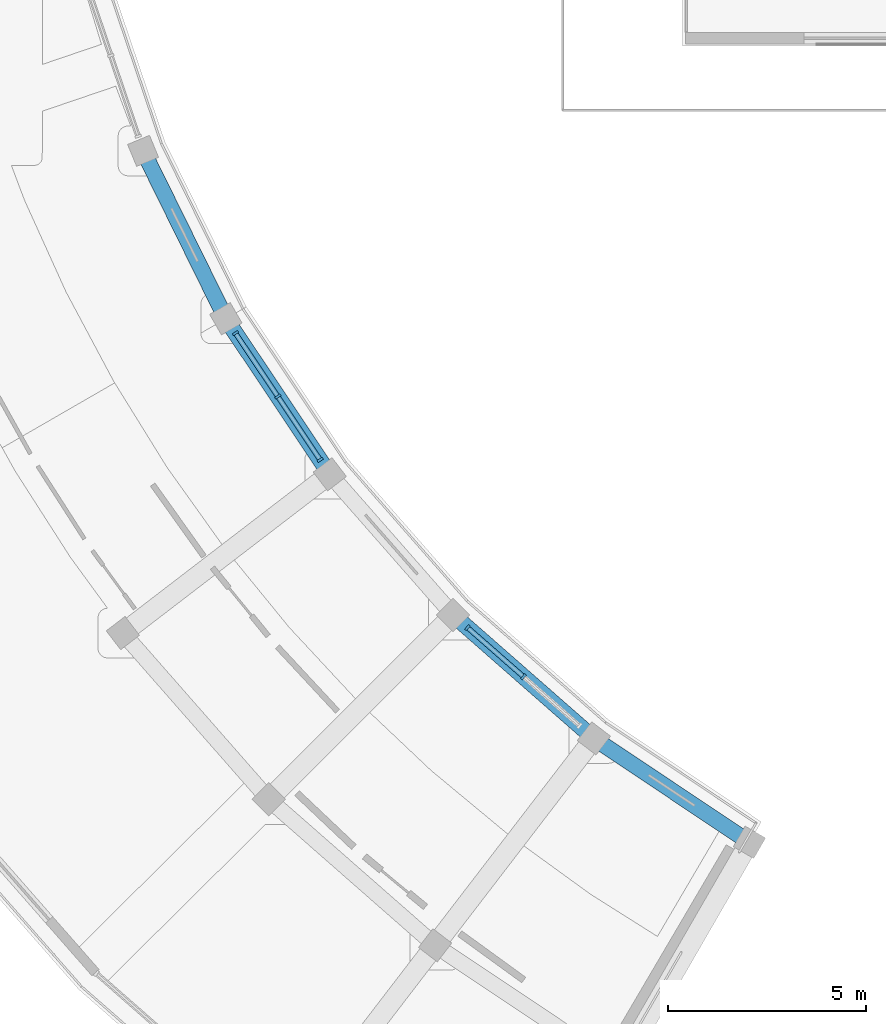
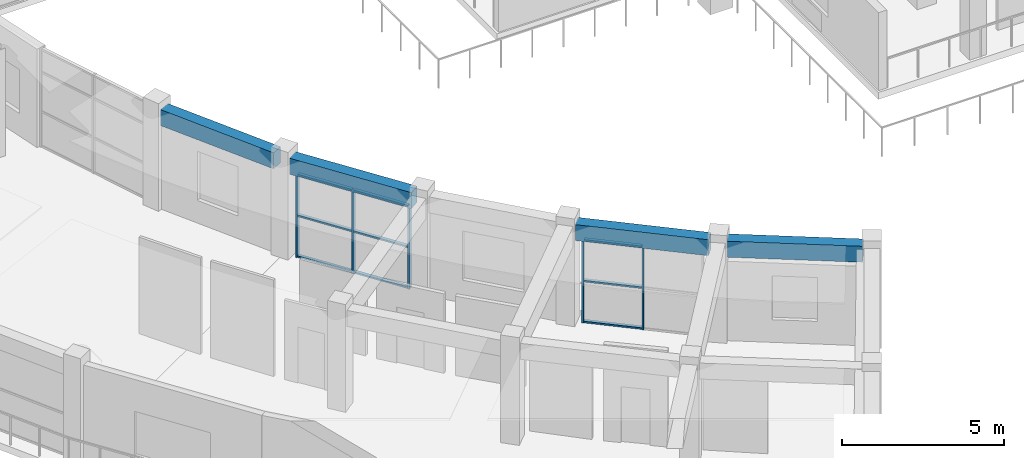
# One storey, part 14 of 72: 14 members, 4 beams, 2 elements without a shape of their own.
"""IFC4 building model written with IfcOpenShell, lengths in metres."""

from ifc_helpers import new_model, si_unit, direction, frame, origin, origin_2d, place, context, subcontext, project, spatial, rectangle, extrude, material, material_profile, profile_set, type_object, element, aggregate, save


model = new_model("IFC4")

# Units and contexts
model_context = context("Model", 3, precision=1e-05, world=origin(), true_north=direction((0.0, 1.0)))
body_context = subcontext(model_context, "Body", "Model", "MODEL_VIEW")
ifc_project = project(units=[si_unit("LENGTHUNIT", "METRE"), si_unit("AREAUNIT", "SQUARE_METRE"), si_unit("VOLUMEUNIT", "CUBIC_METRE"), si_unit("PLANEANGLEUNIT", "RADIAN"), si_unit("MASSUNIT", "GRAM", prefix="KILO")], contexts=[model_context])

# Site, building, storey
site_placement = place(None, origin())
site = spatial("IfcSite", under=ifc_project, at=site_placement, CompositionType="ELEMENT")
building_placement = place(site_placement, origin())
building = spatial("IfcBuilding", under=site, at=building_placement, Name="Saryqyr Civic Hall", CompositionType="ELEMENT")
storey_placement = place(building_placement, frame((0.0, 0.0, 17.25)))
storey = spatial("IfcBuildingStorey", under=building, at=storey_placement, Name="L04", CompositionType="ELEMENT", Elevation=17.25)

# Curtain wall, members
ifc_material_1 = material(Name="Anodised aluminium and triple low-E glass", Category="aluminium")
curtain_wall_type_1 = type_object("IfcCurtainWallType", Name="ENV-CW-STD-17", PredefinedType="NOTDEFINED", material=ifc_material_1)
curtain_wall_1_placement = place(storey_placement, origin())
curtain_wall_1 = element("IfcCurtainWall", 1, at=curtain_wall_1_placement, inside=storey, type_object=curtain_wall_type_1, Name="Curtain wall V4-CWI-L04-06", PredefinedType="NOTDEFINED")
ifc_material_2 = material(Name="Anodised aluminium", Category="aluminium")
ifc_material_profile_1 = material_profile(ifc_material_2, rectangle(XDim=0.06005859375, YDim=0.159912109375, at=origin_2d()), Name="ALU MULLION 60x160")
ifc_profile_set_1 = profile_set([ifc_material_profile_1], Name="Anodised aluminium")
member_type_1 = type_object("IfcMemberType", Name="ENV-CW-MUL-180", PredefinedType="MULLION", material=ifc_profile_set_1)
member_1_placement = place(storey_placement, frame((25.893798828125, 65.53515625, 0.0), z_axis=(0.0, 0.0, 1.0), x_axis=(0.555554091972, -0.831480397179, 0.0)))
member_1 = element("IfcMember", 2, at=member_1_placement, type_object=member_type_1, Name="CW-17 mullion 1", PredefinedType="MULLION", context=body_context, shape_type="SweptSolid", body=[
    extrude(rectangle(XDim=0.06005859375, YDim=0.159912109375, at=origin_2d()), origin(), (0.0, 0.0, 1.0), 3.135009765625),
])
member_2_placement = place(storey_placement, frame((26.96533203125, 63.931396484375, 0.0), z_axis=(0.0, 0.0, 1.0), x_axis=(0.555554091972, -0.831480397179, 0.0)))
member_2 = element("IfcMember", 3, at=member_2_placement, type_object=member_type_1, Name="CW-17 mullion 2", PredefinedType="MULLION", context=body_context, shape_type="SweptSolid", body=[
    extrude(rectangle(XDim=0.06005859375, YDim=0.159912109375, at=origin_2d()), origin(), (0.0, 0.0, 1.0), 3.135009765625),
])
member_3_placement = place(storey_placement, frame((28.03662109375, 62.32763671875, 0.0), z_axis=(0.0, 0.0, 1.0), x_axis=(0.555554091972, -0.831480397179, 0.0)))
member_3 = element("IfcMember", 4, at=member_3_placement, type_object=member_type_1, Name="CW-17 mullion 3", PredefinedType="MULLION", context=body_context, shape_type="SweptSolid", body=[
    extrude(rectangle(XDim=0.06005859375, YDim=0.159912109375, at=origin_2d()), origin(), (0.0, 0.0, 1.0), 3.135009765625),
])

curtain_wall_type_2 = type_object("IfcCurtainWallType", Name="ENV-CW-STD-20", PredefinedType="NOTDEFINED", material=ifc_material_1)
curtain_wall_2_placement = place(storey_placement, origin())
curtain_wall_2 = element("IfcCurtainWall", 5, at=curtain_wall_2_placement, inside=storey, type_object=curtain_wall_type_2, Name="Curtain wall V4-CWI-L04-08", PredefinedType="NOTDEFINED")
member_4_placement = place(storey_placement, frame((31.76513671875, 58.084716796875, 0.0), z_axis=(0.0, 0.0, 1.0), x_axis=(0.751850148543, -0.65933402319, 0.0)))
member_4 = element("IfcMember", 6, at=member_4_placement, type_object=member_type_1, Name="CW-20 mullion 1", PredefinedType="MULLION", context=body_context, shape_type="SweptSolid", body=[
    extrude(rectangle(XDim=0.06005859375, YDim=0.159912109375, at=origin_2d()), origin(), (0.0, 0.0, 1.0), 3.135009765625),
])
member_5_placement = place(storey_placement, frame((33.182861328125, 56.841552734375, 0.0), z_axis=(0.0, 0.0, 1.0), x_axis=(0.751850148543, -0.65933402319, 0.0)))
member_5 = element("IfcMember", 7, at=member_5_placement, type_object=member_type_1, Name="CW-20 mullion 2", PredefinedType="MULLION", context=body_context, shape_type="SweptSolid", body=[
    extrude(rectangle(XDim=0.06005859375, YDim=0.159912109375, at=origin_2d()), origin(), (0.0, 0.0, 1.0), 3.135009765625),
])

# Member
ifc_material_profile_2 = material_profile(ifc_material_2, rectangle(XDim=0.1201171875, YDim=0.06005859375, at=origin_2d()), Name="ALU TRANSOM 120x60")
ifc_profile_set_2 = profile_set([ifc_material_profile_2], Name="Anodised aluminium")
member_type_2 = type_object("IfcMemberType", Name="ENV-CW-TRN-150", PredefinedType="USERDEFINED", material=ifc_profile_set_2)
member_6_placement = place(storey_placement, frame((25.910400390625, 65.510009765625, 0.030029296875), z_axis=(0.555544141607, -0.831487045435, 0.0), x_axis=(0.831487045435, 0.555544141607, 0.0)))
member_6 = element("IfcMember", 8, at=member_6_placement, type_object=member_type_2, Name="CW-17 transom 1.1", ObjectType="TRANSOM", PredefinedType="USERDEFINED", context=body_context, shape_type="SweptSolid", body=[
    extrude(rectangle(XDim=0.1201171875, YDim=0.06005859375, at=origin_2d()), origin(), (0.0, 0.0, 1.0), 1.86865234375),
])

member_7_placement = place(storey_placement, frame((25.910400390625, 65.510009765625, 1.56689453125), z_axis=(0.555544141607, -0.831487045435, 0.0), x_axis=(0.831487045435, 0.555544141607, 0.0)))
member_7 = element("IfcMember", 9, at=member_7_placement, type_object=member_type_2, Name="CW-17 transom 1.2", ObjectType="TRANSOM", PredefinedType="USERDEFINED", context=body_context, shape_type="SweptSolid", body=[
    extrude(rectangle(XDim=0.1201171875, YDim=0.06005859375, at=origin_2d()), origin(), (0.0, 0.0, 1.0), 1.86865234375),
])

member_8_placement = place(storey_placement, frame((25.910400390625, 65.510009765625, 3.10498046875), z_axis=(0.555544141607, -0.831487045435, 0.0), x_axis=(0.831487045435, 0.555544141607, 0.0)))
member_8 = element("IfcMember", 10, at=member_8_placement, type_object=member_type_2, Name="CW-17 transom 1.3", ObjectType="TRANSOM", PredefinedType="USERDEFINED", context=body_context, shape_type="SweptSolid", body=[
    extrude(rectangle(XDim=0.1201171875, YDim=0.06005859375, at=origin_2d()), origin(), (0.0, 0.0, 1.0), 1.86865234375),
])

member_9_placement = place(storey_placement, frame((26.98193359375, 63.906494140625, 0.030029296875), z_axis=(0.555544141607, -0.831487045435, 0.0), x_axis=(0.831487045435, 0.555544141607, 0.0)))
member_9 = element("IfcMember", 11, at=member_9_placement, type_object=member_type_2, Name="CW-17 transom 2.1", ObjectType="TRANSOM", PredefinedType="USERDEFINED", context=body_context, shape_type="SweptSolid", body=[
    extrude(rectangle(XDim=0.1201171875, YDim=0.06005859375, at=origin_2d()), origin(), (0.0, 0.0, 1.0), 1.86865234375),
])

member_10_placement = place(storey_placement, frame((26.98193359375, 63.906494140625, 1.56689453125), z_axis=(0.555544141607, -0.831487045435, 0.0), x_axis=(0.831487045435, 0.555544141607, 0.0)))
member_10 = element("IfcMember", 12, at=member_10_placement, type_object=member_type_2, Name="CW-17 transom 2.2", ObjectType="TRANSOM", PredefinedType="USERDEFINED", context=body_context, shape_type="SweptSolid", body=[
    extrude(rectangle(XDim=0.1201171875, YDim=0.06005859375, at=origin_2d()), origin(), (0.0, 0.0, 1.0), 1.86865234375),
])

member_11_placement = place(storey_placement, frame((26.98193359375, 63.906494140625, 3.10498046875), z_axis=(0.555544141607, -0.831487045435, 0.0), x_axis=(0.831487045435, 0.555544141607, 0.0)))
member_11 = element("IfcMember", 13, at=member_11_placement, type_object=member_type_2, Name="CW-17 transom 2.3", ObjectType="TRANSOM", PredefinedType="USERDEFINED", context=body_context, shape_type="SweptSolid", body=[
    extrude(rectangle(XDim=0.1201171875, YDim=0.06005859375, at=origin_2d()), origin(), (0.0, 0.0, 1.0), 1.86865234375),
])

aggregate(curtain_wall_1, [member_1, member_2, member_3, member_6, member_7, member_8, member_9, member_10, member_11])

member_12_placement = place(storey_placement, frame((31.787841796875, 58.06494140625, 0.030029296875), z_axis=(0.751805640639, -0.659384772878, 0.0), x_axis=(0.659384772878, 0.751805640639, 0.0)))
member_12 = element("IfcMember", 14, at=member_12_placement, type_object=member_type_2, Name="CW-20 transom 1.1", ObjectType="TRANSOM", PredefinedType="USERDEFINED", context=body_context, shape_type="SweptSolid", body=[
    extrude(rectangle(XDim=0.1201171875, YDim=0.06005859375, at=origin_2d()), origin(), (0.0, 0.0, 1.0), 1.825439453125),
])

member_13_placement = place(storey_placement, frame((31.787841796875, 58.06494140625, 1.56689453125), z_axis=(0.751805640639, -0.659384772878, 0.0), x_axis=(0.659384772878, 0.751805640639, 0.0)))
member_13 = element("IfcMember", 15, at=member_13_placement, type_object=member_type_2, Name="CW-20 transom 1.2", ObjectType="TRANSOM", PredefinedType="USERDEFINED", context=body_context, shape_type="SweptSolid", body=[
    extrude(rectangle(XDim=0.1201171875, YDim=0.06005859375, at=origin_2d()), origin(), (0.0, 0.0, 1.0), 1.825439453125),
])

member_14_placement = place(storey_placement, frame((31.787841796875, 58.06494140625, 3.10498046875), z_axis=(0.751805640639, -0.659384772878, 0.0), x_axis=(0.659384772878, 0.751805640639, 0.0)))
member_14 = element("IfcMember", 16, at=member_14_placement, type_object=member_type_2, Name="CW-20 transom 1.3", ObjectType="TRANSOM", PredefinedType="USERDEFINED", context=body_context, shape_type="SweptSolid", body=[
    extrude(rectangle(XDim=0.1201171875, YDim=0.06005859375, at=origin_2d()), origin(), (0.0, 0.0, 1.0), 1.825439453125),
])

aggregate(curtain_wall_2, [member_4, member_5, member_12, member_13, member_14])

# Beams
ifc_material_3 = material(Name="Concrete C35/45", Category="concrete")
ifc_material_profile_3 = material_profile(ifc_material_3, rectangle(XDim=0.39990234375, YDim=0.60009765625, at=origin_2d()), Name="RC 400x600")
ifc_profile_set_3 = profile_set([ifc_material_profile_3], Name="Concrete C35/45")
beam_type = type_object("IfcBeamType", Name="STR-BM-RC400x600-EXT", PredefinedType="BEAM", material=ifc_profile_set_3)
beam_placement = place(storey_placement, frame((23.67724609375, 69.900390625, 3.4599609375), z_axis=(0.442260347142, -0.896886718235, 0.0), x_axis=(0.896886718235, 0.442260347142, 0.0)))
element("IfcBeam", 17, at=beam_placement, inside=storey, type_object=beam_type, Name="Beam V4-CBM-IN05-L04", PredefinedType="BEAM", context=body_context, shape_type="SweptSolid", body=[
    extrude(rectangle(XDim=0.39990234375, YDim=0.60009765625, at=origin_2d()), origin(), (0.0, 0.0, 1.0), 4.185546875),
])
for number, where, z_axis, x_axis, name in (
    (18, (25.802734375, 65.67138671875, 3.4599609375), (0.555521098795, -0.831502440642, 0.0), (0.831502440642, 0.555521098795, 0.0), "Beam V4-CBM-IN06-L04"),
    (19, (31.609619140625, 58.221435546875, 3.4599609375), (0.751824557471, -0.659363203996, 0.0), (0.659363203996, 0.751824557471, 0.0), "Beam V4-CBM-IN08-L04"),
    (20, (35.19140625, 55.127685546875, 3.4599609375), (0.831502440642, -0.555521098795, 0.0), (0.555521098795, 0.831502440642, 0.0), "Beam V4-CBM-IN09-L04"),
):
    element("IfcBeam", number, at=place(storey_placement, frame(where, z_axis=z_axis, x_axis=x_axis)), inside=storey, type_object=beam_type, Name=name, PredefinedType="BEAM", context=body_context, shape_type="SweptSolid", body=[
        extrude(rectangle(XDim=0.39990234375, YDim=0.60009765625, at=origin_2d()), origin(), (0.0, 0.0, 1.0), 4.18505859375),
    ])

save(model, "model.ifc")
